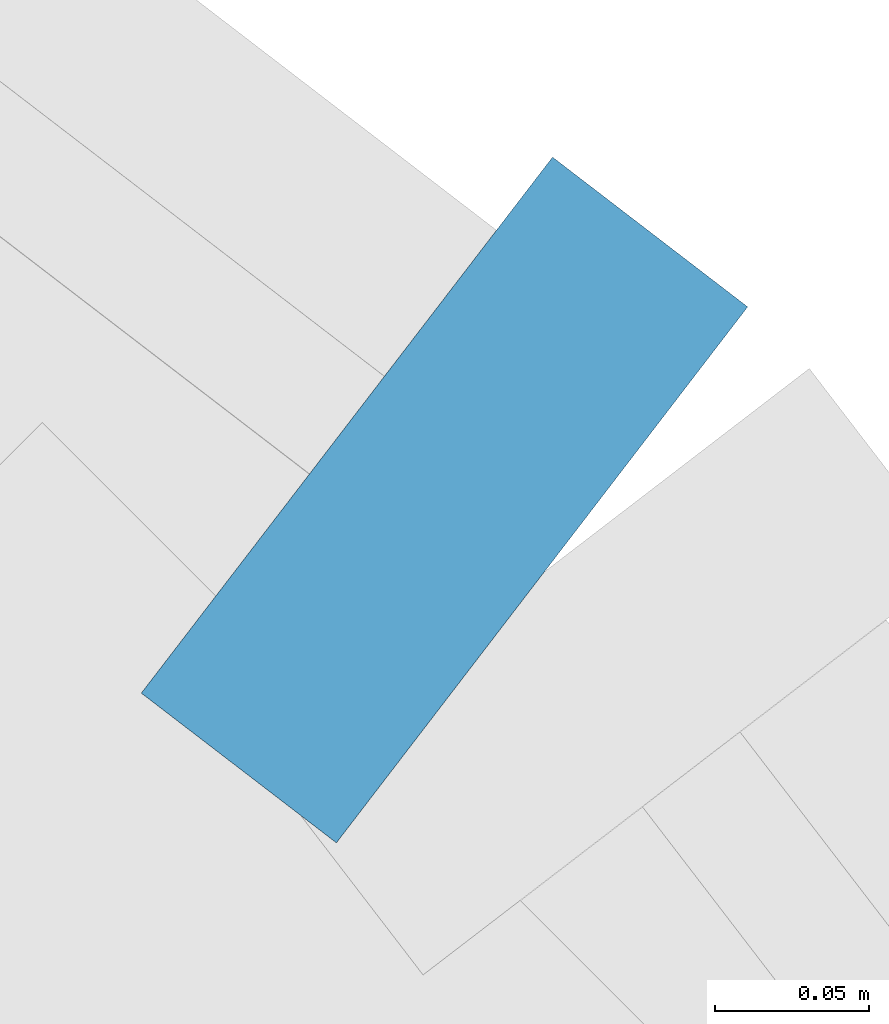
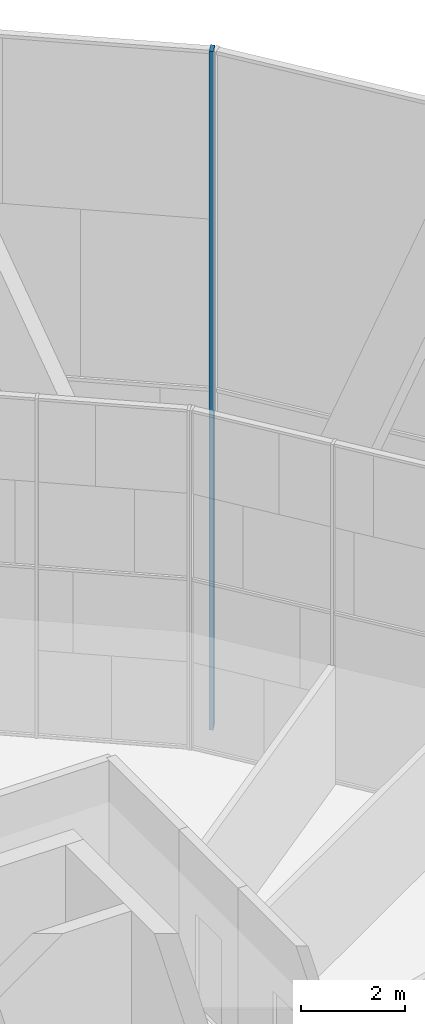
# One storey, part 9 of 23: 1 member, 1 element without a shape of its own.
"""IFC4 building model written with IfcOpenShell, lengths in metres."""

from ifc_helpers import new_model, si_unit, direction, frame, origin, origin_2d, place, context, subcontext, project, spatial, rectangle, extrude, material, material_profile, profile_set, type_object, element, aggregate, save


model = new_model("IFC4")

# Units and contexts
model_context = context("Model", 3, precision=1e-05, world=origin(), true_north=direction((0.0, 1.0)))
body_context = subcontext(model_context, "Body", "Model", "MODEL_VIEW")
ifc_project = project(units=[si_unit("LENGTHUNIT", "METRE"), si_unit("AREAUNIT", "SQUARE_METRE"), si_unit("VOLUMEUNIT", "CUBIC_METRE"), si_unit("PLANEANGLEUNIT", "RADIAN"), si_unit("MASSUNIT", "GRAM", prefix="KILO")], contexts=[model_context])

# Site, building, storey
site_placement = place(None, origin())
site = spatial("IfcSite", under=ifc_project, at=site_placement, CompositionType="ELEMENT")
building_placement = place(site_placement, origin())
building = spatial("IfcBuilding", under=site, at=building_placement, Name="Golbaran Civic Tower", CompositionType="ELEMENT")
storey_placement = place(building_placement, frame((0.0, 0.0, 232.0)))
storey = spatial("IfcBuildingStorey", under=building, at=storey_placement, Name="L56", CompositionType="ELEMENT", Elevation=232.0)

# Curtain wall, member
ifc_material_1 = material(Name="Aluminium and glass", Category="aluminium")
curtain_wall_type = type_object("IfcCurtainWallType", Name="OUTER SKIN TERRACOTTA SCREEN", PredefinedType="NOTDEFINED", material=ifc_material_1)
curtain_wall_placement = place(storey_placement, origin())
curtain_wall = element("IfcCurtainWall", 1, at=curtain_wall_placement, inside=storey, type_object=curtain_wall_type, Name="Outer skin L56 facet 4 CW3", ObjectType="OUTER SKIN", PredefinedType="USERDEFINED")
ifc_material_2 = material(Name="Aluminium", Category="aluminium")
ifc_material_profile = material_profile(ifc_material_2, rectangle(XDim=0.219970703125, YDim=0.080078125, at=origin_2d()), Name="OUTER SKIN TERRACOTTA SCREEN MULLION")
ifc_profile_set = profile_set([ifc_material_profile], Name="Aluminium")
member_type = type_object("IfcMemberType", Name="OUTER SKIN TERRACOTTA SCREEN MULLION", PredefinedType="MULLION", material=ifc_profile_set)
member_placement = place(storey_placement, frame((17.402099609375, 17.4580078125, -0.7099609375), z_axis=(0.0, 0.0, 1.0), x_axis=(-0.608761429009, -0.793353340291, 0.0)))
member = element("IfcMember", 2, at=member_placement, type_object=member_type, Name="CW3 mullion 1", PredefinedType="MULLION", context=body_context, shape_type="SweptSolid", body=[
    extrude(rectangle(XDim=0.219970703125, YDim=0.080078125, at=origin_2d()), origin(), (0.0, 0.0, 1.0), 16.0),
])
aggregate(curtain_wall, [member])

save(model, "model.ifc")
